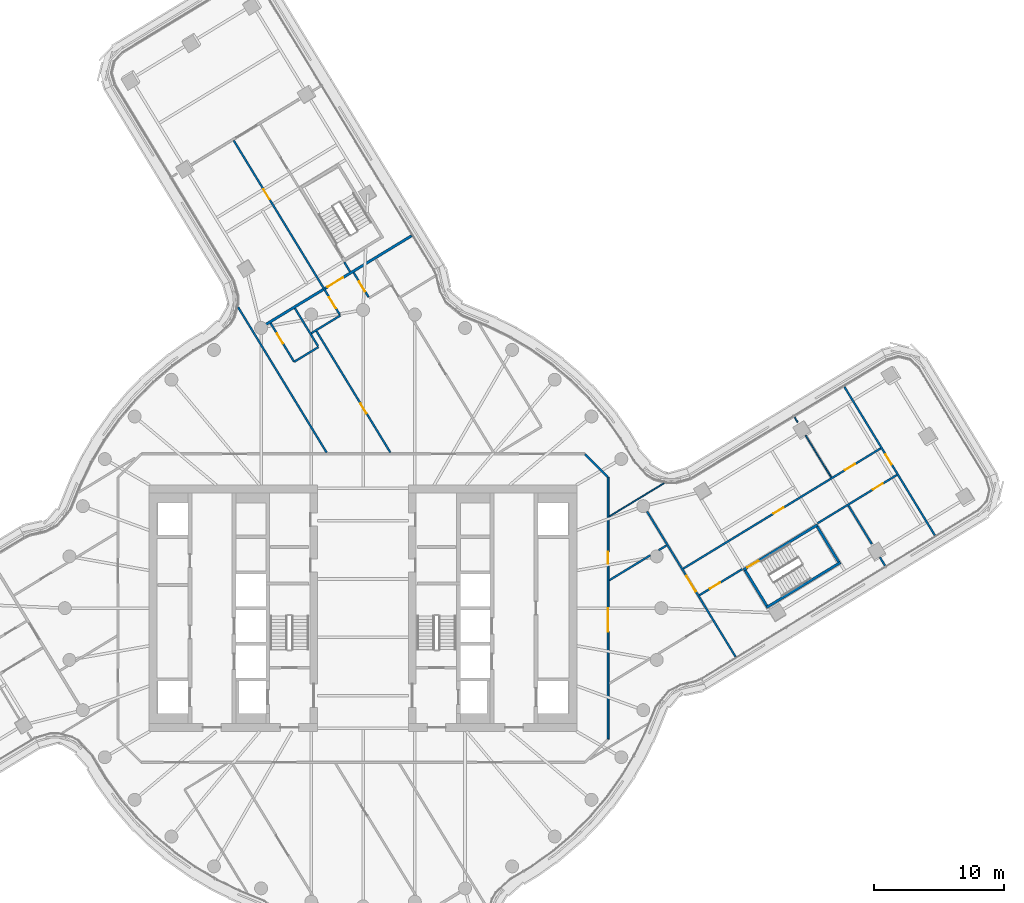
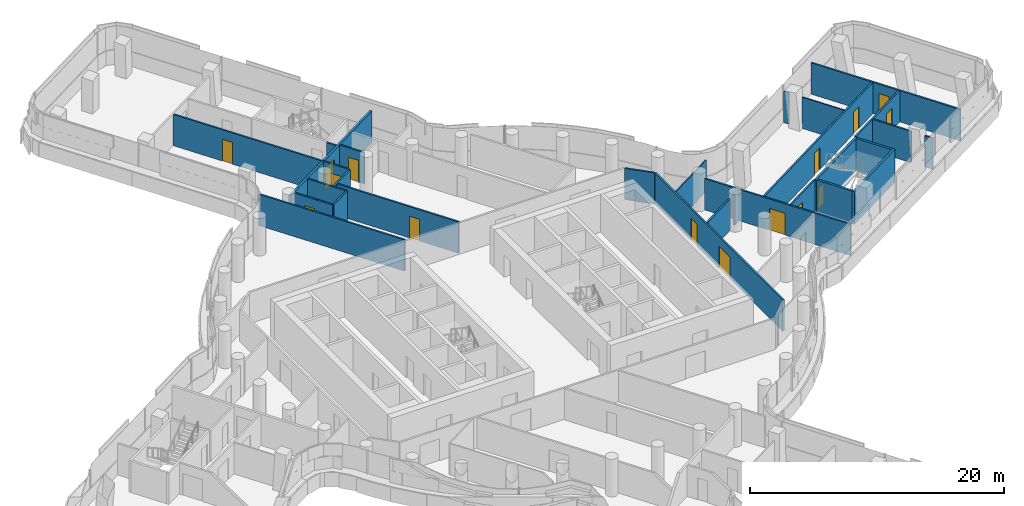
# One storey, part 24 of 35: 28 walls, 15 doors, 15 openings.
"""IFC4 building model written with IfcOpenShell, lengths in metres."""

import ifcopenshell
import ifcopenshell.guid

model = None  # the IFC model being written
_history = None  # IfcOwnerHistory: only IFC2X3 demands one
_inside = {}  # id of a spatial element -> (the spatial element, [elements in it])
_under = {}  # id of a project, library or spatial element -> (it, [spatial elements below it])
_declared = {}  # id of a project -> (the project, [libraries it declares])
_typed = {}  # id of a type object -> (the type object, [elements of that type])
_made_of = {}  # id of a material, layer set ... -> (it, [elements and type objects made of it])


def new_model(schema):
    """Start an empty IFC model of exactly this schema.

    Asked for "IFC4X3", IfcOpenShell would pick the latest addendum, in which some entities
    have other attributes; the version numbers below select the first issue.
    IFC2X3 requires an IfcOwnerHistory on every rooted entity: one is made here for all.
    """
    global model, _history
    if schema == "IFC4X3":
        model = ifcopenshell.file(schema_version=(4, 3, 0, 0))
    else:
        model = ifcopenshell.file(schema=schema)
    _inside.clear()
    _under.clear()
    _declared.clear()
    _typed.clear()
    _made_of.clear()
    _history = None
    if model.schema == "IFC2X3":
        org = make("IfcOrganization", Name="unknown")
        user = make(
            "IfcPersonAndOrganization",
            ThePerson=make("IfcPerson", FamilyName="unknown"),
            TheOrganization=org,
        )
        app = make(
            "IfcApplication",
            ApplicationDeveloper=org,
            Version="unknown",
            ApplicationFullName="unknown",
            ApplicationIdentifier="unknown",
        )
        _history = make(
            "IfcOwnerHistory",
            OwningUser=user,
            OwningApplication=app,
            ChangeAction="ADDED",
            CreationDate=0,
        )
    return model


def make(cls, **values):
    """One entity of the class cls with the attributes given. An attribute that is None is left unset."""
    return model.create_entity(
        cls, **{name: value for name, value in values.items() if value is not None}
    )


def rooted(cls, **values):
    """An entity with a GlobalId (a new one), such as an element, a storey or a relation."""
    return make(cls, GlobalId=ifcopenshell.guid.new(), OwnerHistory=_history, **values)


def si_unit(unit_type, name, prefix=None):
    """IfcSIUnit, for example si_unit("LENGTHUNIT", "METRE", prefix="MILLI")."""
    return make("IfcSIUnit", UnitType=unit_type, Prefix=prefix, Name=name)


def assignment(units):
    """IfcUnitAssignment: the units of a project."""
    return None if units is None else make("IfcUnitAssignment", Units=units)


def point(xyz):
    """IfcCartesianPoint."""
    return None if xyz is None else make("IfcCartesianPoint", Coordinates=xyz)


def direction(xyz):
    """IfcDirection."""
    return None if xyz is None else make("IfcDirection", DirectionRatios=xyz)


def frame(location, z_axis=None, x_axis=None):
    """IfcAxis2Placement3D, a coordinate frame: its origin and axes. An axis left out is left unset."""
    return make(
        "IfcAxis2Placement3D",
        Location=point(location),
        Axis=direction(z_axis),
        RefDirection=direction(x_axis),
    )


def frame_2d(location, x_axis=None):
    """IfcAxis2Placement2D, a coordinate frame in the plane: its origin and x axis."""
    return make(
        "IfcAxis2Placement2D", Location=point(location), RefDirection=direction(x_axis)
    )


def origin():
    """The frame at (0, 0, 0) with its axes left unset."""
    return frame((0.0, 0.0, 0.0))


def place(relative_to, where):
    """IfcLocalPlacement: puts the frame where relative to a parent placement (None: the world)."""
    return make(
        "IfcLocalPlacement", PlacementRelTo=relative_to, RelativePlacement=where
    )


def context(
    kind, dimensions, precision=None, world=None, true_north=None, identifier=None
):
    """IfcGeometricRepresentationContext, for example the 3D "Model" context."""
    return make(
        "IfcGeometricRepresentationContext",
        ContextIdentifier=identifier,
        ContextType=kind,
        CoordinateSpaceDimension=dimensions,
        Precision=precision,
        WorldCoordinateSystem=world,
        TrueNorth=true_north,
    )


def subcontext(parent, identifier, kind, view, scale=None):
    """IfcGeometricRepresentationSubContext, for example "Body" below "Model"."""
    return make(
        "IfcGeometricRepresentationSubContext",
        ContextIdentifier=identifier,
        ContextType=kind,
        ParentContext=parent,
        TargetScale=scale,
        TargetView=view,
    )


def project(units=None, contexts=None):
    """IfcProject with its units and contexts."""
    return rooted(
        "IfcProject",
        Name="project",
        RepresentationContexts=contexts,
        UnitsInContext=assignment(units),
    )


def spatial(cls, under=None, at=None, **own):
    """A site, building, storey or space (cls), placed at a placement, below another one or the project."""
    s = rooted(cls, ObjectPlacement=at, **own)
    if under is not None:
        _under.setdefault(under.id(), (under, []))[1].append(s)
    return s


def polyline(points):
    """IfcPolyline through the points."""
    return make("IfcPolyline", Points=[point(p) for p in points])


def profile(cls, at=None, kind="AREA", **sizes):
    """A parametric profile (cls). Its sizes go by their IFC names, for example OverallWidth=200.0."""
    return make(cls, ProfileType=kind, Position=at, **sizes)


def rectangle(**sizes):
    """IfcRectangleProfileDef."""
    return profile("IfcRectangleProfileDef", **sizes)


def outline(outer, holes=None, kind="AREA"):
    """IfcArbitraryClosedProfileDef: a profile drawn as a closed curve; with holes, ...WithVoids."""
    if holes is None:
        return make("IfcArbitraryClosedProfileDef", ProfileType=kind, OuterCurve=outer)
    return make(
        "IfcArbitraryProfileDefWithVoids",
        ProfileType=kind,
        OuterCurve=outer,
        InnerCurves=holes,
    )


def extrude(swept, where, along, depth):
    """IfcExtrudedAreaSolid: the profile swept, set in the frame where, extruded along a direction by depth."""
    return make(
        "IfcExtrudedAreaSolid",
        SweptArea=swept,
        Position=where,
        ExtrudedDirection=direction(along),
        Depth=depth,
    )


def shape(context_of_items, identifier, shape_type, items):
    """IfcShapeRepresentation: the items that make up one representation, for example the "Body"."""
    return make(
        "IfcShapeRepresentation",
        ContextOfItems=context_of_items,
        RepresentationIdentifier=identifier,
        RepresentationType=shape_type,
        Items=items,
    )


def material(Name=None, Category=None):
    """IfcMaterial."""
    return make("IfcMaterial", Name=Name, Category=Category)


def layer(
    of_material, thickness, ventilated=None, Name=None, Category=None, Priority=None
):
    """IfcMaterialLayer: one layer of a wall or slab, of a material (None: an air gap)."""
    return make(
        "IfcMaterialLayer",
        Material=of_material,
        LayerThickness=thickness,
        IsVentilated=ventilated,
        Name=Name,
        Category=Category,
        Priority=Priority,
    )


def layer_set(layers, Name=None):
    """IfcMaterialLayerSet."""
    return make("IfcMaterialLayerSet", MaterialLayers=layers, LayerSetName=Name)


def made_of(thing, what):
    """Note that an element or type object is made of a material, layer set ...; save() writes the relation."""
    if what is not None:
        _made_of.setdefault(what.id(), (what, []))[1].append(thing)
    return thing


def type_object(cls, material=None, **own):
    """A type object (cls), such as IfcWallType, which elements share."""
    return made_of(rooted(cls, **own), material)


def element(
    cls,
    number,
    at=None,
    inside=None,
    cuts=None,
    type_object=None,
    material=None,
    context=None,
    identifier="Body",
    shape_type=None,
    held_by="IfcProductDefinitionShape",
    body=None,
    shapes=None,
    **own,
):
    """One element of the class cls, such as IfcWall. Its Tag is "e" and its number.

    at: its placement. inside: the storey or other place that contains it. cuts: it is an
    opening in that element (IfcRelVoidsElement). A single representation is given by context,
    identifier, shape_type and body (its items); several are given by shapes. held_by: the class
    of the entity that holds the representations. save() writes the other relations.
    """
    e = rooted(cls, Tag="e%d" % number, ObjectPlacement=at, **own)
    if body is not None:
        shapes = [shape(context, identifier, shape_type, body)]
    if shapes is not None:
        e.Representation = make(held_by, Representations=shapes)
    if inside is not None:
        _inside.setdefault(inside.id(), (inside, []))[1].append(e)
    if cuts is not None:
        rooted(
            "IfcRelVoidsElement", RelatingBuildingElement=cuts, RelatedOpeningElement=e
        )
    if type_object is not None:
        _typed.setdefault(type_object.id(), (type_object, []))[1].append(e)
    return made_of(e, material)


def fill(opening, filler):
    """IfcRelFillsElement: the door or window that sits in an opening."""
    return rooted(
        "IfcRelFillsElement",
        RelatingOpeningElement=opening,
        RelatedBuildingElement=filler,
    )


def aggregate(whole, parts):
    """IfcRelAggregates: a whole, such as a stair, and the parts it consists of."""
    return rooted("IfcRelAggregates", RelatingObject=whole, RelatedObjects=parts)


def save(model, path):
    """Write the relations noted so far, then the file.

    IfcRelAggregates (storeys below a building ...), IfcRelContainedInSpatialStructure (elements
    in a storey), IfcRelDefinesByType, IfcRelAssociatesMaterial and IfcRelDeclares: one each for
    every whole, place, type object, material and project.
    """
    for whole, parts in _under.values():
        aggregate(whole, parts)
    for where, things in _inside.values():
        rooted(
            "IfcRelContainedInSpatialStructure",
            RelatedElements=things,
            RelatingStructure=where,
        )
    for kind, things in _typed.values():
        rooted("IfcRelDefinesByType", RelatedObjects=things, RelatingType=kind)
    for what, things in _made_of.values():
        rooted("IfcRelAssociatesMaterial", RelatedObjects=things, RelatingMaterial=what)
    for by, libraries in _declared.values():
        rooted("IfcRelDeclares", RelatingContext=by, RelatedDefinitions=libraries)
    model.write(path)


model = new_model("IFC4")

# Units and contexts
model_context = context("Model", 3, precision=1e-05, world=origin(), true_north=direction((0.0, 1.0)))
body_context = subcontext(model_context, "Body", "Model", "MODEL_VIEW")
ifc_project = project(units=[si_unit("LENGTHUNIT", "METRE"), si_unit("AREAUNIT", "SQUARE_METRE"), si_unit("VOLUMEUNIT", "CUBIC_METRE"), si_unit("PLANEANGLEUNIT", "RADIAN"), si_unit("MASSUNIT", "GRAM", prefix="KILO")], contexts=[model_context])

# Site, building, storey
site_placement = place(None, origin())
site = spatial("IfcSite", under=ifc_project, at=site_placement, CompositionType="ELEMENT")
building_placement = place(site_placement, origin())
building = spatial("IfcBuilding", under=site, at=building_placement, Name="Tamarind Cross Interchange Tower", CompositionType="ELEMENT")
storey_placement = place(building_placement, frame((0.0, 0.0, 148.0)))
storey = spatial("IfcBuildingStorey", under=building, at=storey_placement, Name="L36", CompositionType="ELEMENT", Elevation=148.0)

# Walls
ifc_material_1 = material(Name="Gypsum board partition on steel studs", Category="steel")
ifc_layer_1 = layer(ifc_material_1, 0.10009765625)
ifc_layer_set_1 = layer_set([ifc_layer_1], Name="Gypsum board partition on steel studs")
wall_type_1 = type_object("IfcWallType", Name="Partition 100 mm EI 90", PredefinedType="PARTITIONING", material=ifc_layer_set_1)
wall_1_placement = place(storey_placement, frame((33.281494140625, 14.735107421875, 0.0), z_axis=(0.0, 0.0, 1.0), x_axis=(0.520569684407, -0.853819186758, 0.0)))
element("IfcWall", 1, at=wall_1_placement, inside=storey, type_object=wall_type_1, Name="Partition L36-027", PredefinedType="PARTITIONING", context=body_context, shape_type="SweptSolid", body=[
    extrude(rectangle(XDim=0.4599609375, YDim=0.10009765625, at=frame_2d((0.22998046875, 0.0))), origin(), (0.0, 0.0, 1.0), 3.010009765625),
])
wall_2_placement = place(storey_placement, frame((34.141357421875, 13.323486328125, 0.0), z_axis=(0.0, 0.0, 1.0), x_axis=(0.52017825761, -0.854057714859, 0.0)))
element("IfcWall", 2, at=wall_2_placement, inside=storey, type_object=wall_type_1, Name="Partition L36-028", PredefinedType="PARTITIONING", context=body_context, shape_type="SweptSolid", body=[
    extrude(rectangle(XDim=3.783447265625, YDim=0.10009765625, at=frame_2d((1.8916015625, 0.0))), origin(), (0.0, 0.0, 1.0), 3.010009765625),
])
wall_3_placement = place(storey_placement, frame((18.981201171875, 7.060302734375, 0.0), z_axis=(0.0, 0.0, 1.0), x_axis=(0.854024301645, 0.520233113326, 0.0)))
element("IfcWall", 3, at=wall_3_placement, inside=storey, type_object=wall_type_1, Name="Partition L36-068", PredefinedType="PARTITIONING", context=body_context, shape_type="SweptSolid", body=[
    extrude(rectangle(XDim=4.952392578125, YDim=0.10009765625, at=frame_2d((2.47607421875, 0.0))), origin(), (0.0, 0.0, 1.0), 3.010009765625),
])

# Wall, openings, doors
ifc_layer_2 = layer(ifc_material_1, 0.14990234375)
ifc_layer_set_2 = layer_set([ifc_layer_2], Name="Gypsum board partition on steel studs")
wall_type_2 = type_object("IfcWallType", Name="Partition 150 mm EI 120", PredefinedType="PARTITIONING", material=ifc_layer_set_2)
wall_4_placement = place(storey_placement, frame((-9.982421875, 36.082763671875, 0.0), z_axis=(0.0, 0.0, 1.0), x_axis=(0.520141723066, -0.854079965768, 0.0)))
wall_4 = element("IfcWall", 4, at=wall_4_placement, inside=storey, type_object=wall_type_2, Name="Partition L36-009", PredefinedType="PARTITIONING", context=body_context, shape_type="SweptSolid", body=[
    extrude(rectangle(XDim=15.74560546875, YDim=0.14990234375, at=frame_2d((7.872802734375, 0.0))), origin(), (0.0, 0.0, 1.0), 3.010009765625),
])
opening_1_placement = place(wall_4_placement, frame((14.169921875, 0.0, 0.0)))
opening_1 = element("IfcOpeningElement", 5, at=opening_1_placement, cuts=wall_4, Name="Opening D04", PredefinedType="OPENING", context=body_context, shape_type="SweptSolid", body=[
    extrude(rectangle(XDim=1.0, YDim=2.10009765625, at=frame_2d((0.5, 1.050048828125))), frame((0.0, 0.0849609375, 0.0), z_axis=(0.0, -1.0, 0.0), x_axis=(1.0, 0.0, 0.0)), (0.0, 0.0, 1.0), 0.169921875),
])
opening_2_placement = place(wall_4_placement, frame((4.419921875, 0.0, 0.0)))
opening_2 = element("IfcOpeningElement", 6, at=opening_2_placement, cuts=wall_4, Name="Opening D05", PredefinedType="OPENING", context=body_context, shape_type="SweptSolid", body=[
    extrude(rectangle(XDim=0.89990234375, YDim=2.10009765625, at=frame_2d((0.449951171875, 1.050048828125))), frame((0.0, 0.0849609375, 0.0), z_axis=(0.0, -1.0, 0.0), x_axis=(1.0, 0.0, 0.0)), (0.0, 0.0, 1.0), 0.169921875),
])
ifc_material_2 = material(Name="Fire-resisting door set")
door_type_1 = type_object("IfcDoorType", Name="Interior door 1000 x 2100 FD60S", OperationType="SINGLE_SWING_LEFT", PredefinedType="DOOR", material=ifc_material_2)
door_1_placement = place(opening_1_placement, frame((1.0, 0.0, 0.0), z_axis=(0.0, 0.0, 1.0), x_axis=(-1.0, 0.0, 0.0)))
door_1 = element("IfcDoor", 7, at=door_1_placement, inside=storey, type_object=door_type_1, Name="Door D04", OperationType="SINGLE_SWING_RIGHT", OverallHeight=2.10009765625, OverallWidth=1.0, PredefinedType="DOOR", context=body_context, shape_type="SweptSolid", body=[
    extrude(rectangle(XDim=1.0, YDim=2.10009765625, at=frame_2d((0.5, 1.050048828125))), frame((0.0, 0.02490234375, 0.0), z_axis=(0.0, -1.0, 0.0), x_axis=(1.0, 0.0, 0.0)), (0.0, 0.0, 1.0), 0.050048828125),
])
fill(opening_1, door_1)
door_type_2 = type_object("IfcDoorType", Name="Interior door 900 x 2100 FD60S", OperationType="SINGLE_SWING_LEFT", PredefinedType="DOOR", material=ifc_material_2)
door_2_placement = place(opening_2_placement, frame((0.89990234375, 0.0, 0.0), z_axis=(0.0, 0.0, 1.0), x_axis=(-1.0, 0.0, 0.0)))
door_2 = element("IfcDoor", 8, at=door_2_placement, inside=storey, type_object=door_type_2, Name="Door D05", OperationType="SINGLE_SWING_LEFT", OverallHeight=2.10009765625, OverallWidth=0.89990234375, PredefinedType="DOOR", context=body_context, shape_type="SweptSolid", body=[
    extrude(rectangle(XDim=0.89990234375, YDim=2.10009765625, at=frame_2d((0.449951171875, 1.050048828125))), frame((0.0, 0.02490234375, 0.0), z_axis=(0.0, -1.0, 0.0), x_axis=(1.0, 0.0, 0.0)), (0.0, 0.0, 1.0), 0.050048828125),
])
fill(opening_2, door_2)

# Walls
wall_5_placement = place(storey_placement, frame((-9.636474609375, 23.211181640625, 0.0), z_axis=(0.0, 0.0, 1.0), x_axis=(0.520188794996, -0.854051296797, 0.0)))
element("IfcWall", 9, at=wall_5_placement, inside=storey, type_object=wall_type_2, Name="Partition L36-010", PredefinedType="PARTITIONING", context=body_context, shape_type="SweptSolid", body=[
    extrude(rectangle(XDim=13.129150390625, YDim=0.14990234375, at=frame_2d((6.564453125, 0.0))), origin(), (0.0, 0.0, 1.0), 3.010009765625),
])
wall_6_placement = place(storey_placement, frame((-1.451171875, 26.689453125, 0.0), z_axis=(0.0, 0.0, 1.0), x_axis=(0.520289272866, -0.853990089252, 0.0)))
element("IfcWall", 10, at=wall_6_placement, inside=storey, type_object=wall_type_2, Name="Partition L36-012", PredefinedType="PARTITIONING", context=body_context, shape_type="SweptSolid", body=[
    extrude(rectangle(XDim=0.859619140625, YDim=0.14990234375, at=frame_2d((0.4296875, 0.0))), origin(), (0.0, 0.0, 1.0), 3.010009765625),
])

# Wall, opening, door
wall_7_placement = place(storey_placement, frame((-7.134033203125, 21.986572265625, 0.0), z_axis=(0.0, 0.0, 1.0), x_axis=(0.520129484143, -0.854087419253, 0.0)))
wall_7 = element("IfcWall", 11, at=wall_7_placement, inside=storey, type_object=wall_type_2, Name="Partition L36-013", PredefinedType="PARTITIONING", context=body_context, shape_type="SweptSolid", body=[
    extrude(rectangle(XDim=3.47900390625, YDim=0.14990234375, at=frame_2d((1.739501953125, 0.0))), origin(), (0.0, 0.0, 1.0), 3.010009765625),
])
opening_3_placement = place(wall_7_placement, frame((0.949951171875, 0.0, 0.0)))
opening_3 = element("IfcOpeningElement", 12, at=opening_3_placement, cuts=wall_7, Name="Opening D07", PredefinedType="OPENING", context=body_context, shape_type="SweptSolid", body=[
    extrude(rectangle(XDim=0.89990234375, YDim=2.10009765625, at=frame_2d((0.449951171875, 1.050048828125))), frame((0.0, 0.0849609375, 0.0), z_axis=(0.0, -1.0, 0.0), x_axis=(1.0, 0.0, 0.0)), (0.0, 0.0, 1.0), 0.169921875),
])
door_3_placement = place(opening_3_placement, origin())
door_3 = element("IfcDoor", 13, at=door_3_placement, inside=storey, type_object=door_type_2, Name="Door D07", OperationType="SINGLE_SWING_RIGHT", OverallHeight=2.10009765625, OverallWidth=0.89990234375, PredefinedType="DOOR", context=body_context, shape_type="SweptSolid", body=[
    extrude(rectangle(XDim=0.89990234375, YDim=2.10009765625, at=frame_2d((0.449951171875, 1.050048828125))), frame((0.0, 0.02490234375, 0.0), z_axis=(0.0, -1.0, 0.0), x_axis=(1.0, 0.0, 0.0)), (0.0, 0.0, 1.0), 0.050048828125),
])
fill(opening_3, door_3)

# Wall
wall_8_placement = place(storey_placement, frame((-5.25244140625, 23.127197265625, 0.0), z_axis=(0.0, 0.0, 1.0), x_axis=(0.519996770542, -0.854168226186, 0.0)))
element("IfcWall", 14, at=wall_8_placement, inside=storey, type_object=wall_type_2, Name="Partition L36-014", PredefinedType="PARTITIONING", context=body_context, shape_type="SweptSolid", body=[
    extrude(rectangle(XDim=3.419921875, YDim=0.14990234375, at=frame_2d((1.7099609375, 0.0))), origin(), (0.0, 0.0, 1.0), 3.010009765625),
])

# Wall, opening, door
wall_9_placement = place(storey_placement, frame((-3.59033203125, 21.358642578125, 0.0), z_axis=(0.0, 0.0, 1.0), x_axis=(0.520200619289, -0.8540440947, 0.0)))
wall_9 = element("IfcWall", 15, at=wall_9_placement, inside=storey, type_object=wall_type_2, Name="Partition L36-015", PredefinedType="PARTITIONING", context=body_context, shape_type="SweptSolid", body=[
    extrude(rectangle(XDim=10.9599609375, YDim=0.14990234375, at=frame_2d((5.47998046875, 0.0))), origin(), (0.0, 0.0, 1.0), 3.010009765625),
])
opening_4_placement = place(wall_9_placement, frame((6.52001953125, 0.0, 0.0)))
opening_4 = element("IfcOpeningElement", 16, at=opening_4_placement, cuts=wall_9, Name="Opening D08", PredefinedType="OPENING", context=body_context, shape_type="SweptSolid", body=[
    extrude(rectangle(XDim=0.89990234375, YDim=2.10009765625, at=frame_2d((0.449951171875, 1.050048828125))), frame((0.0, 0.0849609375, 0.0), z_axis=(0.0, -1.0, 0.0), x_axis=(1.0, 0.0, 0.0)), (0.0, 0.0, 1.0), 0.169921875),
])
door_4_placement = place(opening_4_placement, frame((0.89990234375, 0.0, 0.0), z_axis=(0.0, 0.0, 1.0), x_axis=(-1.0, 0.0, 0.0)))
door_4 = element("IfcDoor", 17, at=door_4_placement, inside=storey, type_object=door_type_2, Name="Door D08", OperationType="SINGLE_SWING_RIGHT", OverallHeight=2.10009765625, OverallWidth=0.89990234375, PredefinedType="DOOR", context=body_context, shape_type="SweptSolid", body=[
    extrude(rectangle(XDim=0.89990234375, YDim=2.10009765625, at=frame_2d((0.449951171875, 1.050048828125))), frame((0.0, 0.02490234375, 0.0), z_axis=(0.0, -1.0, 0.0), x_axis=(1.0, 0.0, 0.0)), (0.0, 0.0, 1.0), 0.050048828125),
])
fill(opening_4, door_4)

wall_10_placement = place(storey_placement, frame((-0.726318359375, 25.88427734375, 0.0), z_axis=(0.0, 0.0, 1.0), x_axis=(0.519967880157, -0.854185813278, 0.0)))
wall_10 = element("IfcWall", 18, at=wall_10_placement, inside=storey, type_object=wall_type_2, Name="Partition L36-018", PredefinedType="PARTITIONING", context=body_context, shape_type="SweptSolid", body=[
    extrude(rectangle(XDim=2.219970703125, YDim=0.14990234375, at=frame_2d((1.10986328125, 0.0))), origin(), (0.0, 0.0, 1.0), 3.010009765625),
])
opening_5_placement = place(wall_10_placement, frame((0.794921875, 0.0, 0.0)))
opening_5 = element("IfcOpeningElement", 19, at=opening_5_placement, cuts=wall_10, Name="Opening D10", PredefinedType="OPENING", context=body_context, shape_type="SweptSolid", body=[
    extrude(rectangle(XDim=0.89990234375, YDim=2.10009765625, at=frame_2d((0.449951171875, 1.050048828125))), frame((0.0, 0.0849609375, 0.0), z_axis=(0.0, -1.0, 0.0), x_axis=(1.0, 0.0, 0.0)), (0.0, 0.0, 1.0), 0.169921875),
])
door_5_placement = place(opening_5_placement, origin())
door_5 = element("IfcDoor", 20, at=door_5_placement, inside=storey, type_object=door_type_2, Name="Door D10", OperationType="SINGLE_SWING_LEFT", OverallHeight=2.10009765625, OverallWidth=0.89990234375, PredefinedType="DOOR", context=body_context, shape_type="SweptSolid", body=[
    extrude(rectangle(XDim=0.89990234375, YDim=2.10009765625, at=frame_2d((0.449951171875, 1.050048828125))), frame((0.0, 0.02490234375, 0.0), z_axis=(0.0, -1.0, 0.0), x_axis=(1.0, 0.0, 0.0)), (0.0, 0.0, 1.0), 0.050048828125),
])
fill(opening_5, door_5)

wall_11_placement = place(storey_placement, frame((21.90478515625, 7.461669921875, 0.0), z_axis=(0.0, 0.0, 1.0), x_axis=(0.520124017565, -0.854090748312, 0.0)))
wall_11 = element("IfcWall", 21, at=wall_11_placement, inside=storey, type_object=wall_type_2, Name="Partition L36-026", PredefinedType="PARTITIONING", context=body_context, shape_type="SweptSolid", body=[
    extrude(rectangle(XDim=13.121337890625, YDim=0.14990234375, at=frame_2d((6.560546875, 0.0))), origin(), (0.0, 0.0, 1.0), 3.010009765625),
])
opening_6_placement = place(wall_11_placement, frame((5.82177734375, 0.0, 0.0)))
opening_6 = element("IfcOpeningElement", 22, at=opening_6_placement, cuts=wall_11, Name="Opening D19", PredefinedType="OPENING", context=body_context, shape_type="SweptSolid", body=[
    extrude(rectangle(XDim=1.39990234375, YDim=2.10009765625, at=frame_2d((0.699951171875, 1.050048828125))), frame((0.0, 0.0849609375, 0.0), z_axis=(0.0, -1.0, 0.0), x_axis=(1.0, 0.0, 0.0)), (0.0, 0.0, 1.0), 0.169921875),
])
door_type_3 = type_object("IfcDoorType", Name="Interior door 1400 x 2100 FD60S", OperationType="DOUBLE_DOOR_SINGLE_SWING", PredefinedType="DOOR", material=ifc_material_2)
door_6_placement = place(opening_6_placement, frame((1.39990234375, 0.0, 0.0), z_axis=(0.0, 0.0, 1.0), x_axis=(-1.0, 0.0, 0.0)))
door_6 = element("IfcDoor", 23, at=door_6_placement, inside=storey, type_object=door_type_3, Name="Door D19", OperationType="DOUBLE_DOOR_SINGLE_SWING", OverallHeight=2.10009765625, OverallWidth=1.39990234375, PredefinedType="DOOR", context=body_context, shape_type="SweptSolid", body=[
    extrude(rectangle(XDim=1.39990234375, YDim=2.10009765625, at=frame_2d((0.699951171875, 1.050048828125))), frame((0.0, 0.02490234375, 0.0), z_axis=(0.0, -1.0, 0.0), x_axis=(1.0, 0.0, 0.0)), (0.0, 0.0, 1.0), 0.050048828125),
])
fill(opening_6, door_6)

# Walls
wall_12_placement = place(storey_placement, frame((37.441162109375, 7.906005859375, 0.0), z_axis=(0.0, 0.0, 1.0), x_axis=(0.520127867852, -0.854088403553, 0.0)))
element("IfcWall", 24, at=wall_12_placement, inside=storey, type_object=wall_type_2, Name="Partition L36-029", PredefinedType="PARTITIONING", context=body_context, shape_type="SweptSolid", body=[
    extrude(rectangle(XDim=3.46728515625, YDim=0.14990234375, at=frame_2d((1.733642578125, 0.0))), origin(), (0.0, 0.0, 1.0), 3.010009765625),
])
wall_13_placement = place(storey_placement, frame((39.865966796875, 3.924560546875, 0.0), z_axis=(0.0, 0.0, 1.0), x_axis=(0.520315074372, -0.853974369276, 0.0)))
element("IfcWall", 25, at=wall_13_placement, inside=storey, type_object=wall_type_2, Name="Partition L36-030", PredefinedType="PARTITIONING", context=body_context, shape_type="SweptSolid", body=[
    extrude(rectangle(XDim=0.75732421875, YDim=0.14990234375, at=frame_2d((0.378662109375, 0.0))), origin(), (0.0, 0.0, 1.0), 3.010009765625),
])

# Wall, opening, door
wall_14_placement = place(storey_placement, frame((37.129638671875, 17.06787109375, 0.0), z_axis=(0.0, 0.0, 1.0), x_axis=(0.520172825695, -0.854061023234, 0.0)))
wall_14 = element("IfcWall", 26, at=wall_14_placement, inside=storey, type_object=wall_type_2, Name="Partition L36-031", PredefinedType="PARTITIONING", context=body_context, shape_type="SweptSolid", body=[
    extrude(rectangle(XDim=13.406005859375, YDim=0.14990234375, at=frame_2d((6.703125, 0.0))), origin(), (0.0, 0.0, 1.0), 3.010009765625),
])
opening_7_placement = place(wall_14_placement, frame((6.1064453125, 0.0, 0.0)))
opening_7 = element("IfcOpeningElement", 27, at=opening_7_placement, cuts=wall_14, Name="Opening D20", PredefinedType="OPENING", context=body_context, shape_type="SweptSolid", body=[
    extrude(rectangle(XDim=0.89990234375, YDim=2.10009765625, at=frame_2d((0.449951171875, 1.050048828125))), frame((0.0, 0.0849609375, 0.0), z_axis=(0.0, -1.0, 0.0), x_axis=(1.0, 0.0, 0.0)), (0.0, 0.0, 1.0), 0.169921875),
])
door_7_placement = place(opening_7_placement, origin())
door_7 = element("IfcDoor", 28, at=door_7_placement, inside=storey, type_object=door_type_2, Name="Door D20", OperationType="SINGLE_SWING_RIGHT", OverallHeight=2.10009765625, OverallWidth=0.89990234375, PredefinedType="DOOR", context=body_context, shape_type="SweptSolid", body=[
    extrude(rectangle(XDim=0.89990234375, YDim=2.10009765625, at=frame_2d((0.449951171875, 1.050048828125))), frame((0.0, 0.02490234375, 0.0), z_axis=(0.0, -1.0, 0.0), x_axis=(1.0, 0.0, 0.0)), (0.0, 0.0, 1.0), 0.050048828125),
])
fill(opening_7, door_7)

# Walls
wall_15_placement = place(storey_placement, frame((17.12841796875, 11.87158203125, 0.0), z_axis=(0.0, 0.0, 1.0), x_axis=(0.707106781187, -0.707106781187, 0.0)))
element("IfcWall", 29, at=wall_15_placement, inside=storey, type_object=wall_type_2, Name="Partition L36-033", PredefinedType="PARTITIONING", context=body_context, shape_type="SweptSolid", body=[
    extrude(rectangle(XDim=2.465087890625, YDim=0.14990234375, at=frame_2d((1.232421875, 0.0))), origin(), (0.0, 0.0, 1.0), 3.010009765625),
])
wall_16_placement = place(storey_placement, frame((-5.31396484375, 18.998046875, 0.0), z_axis=(0.0, 0.0, 1.0), x_axis=(0.854125681103, 0.520066650422, 0.0)))
element("IfcWall", 30, at=wall_16_placement, inside=storey, type_object=wall_type_2, Name="Partition L36-049", PredefinedType="PARTITIONING", context=body_context, shape_type="SweptSolid", body=[
    extrude(rectangle(XDim=2.19970703125, YDim=0.14990234375, at=frame_2d((1.099853515625, 0.0))), origin(), (0.0, 0.0, 1.0), 3.010009765625),
])
wall_17_placement = place(storey_placement, frame((-3.99072265625, 21.20849609375, 0.0), z_axis=(0.0, 0.0, 1.0), x_axis=(0.854103164221, 0.520103628971, 0.0)))
element("IfcWall", 31, at=wall_17_placement, inside=storey, type_object=wall_type_2, Name="Partition L36-051", PredefinedType="PARTITIONING", context=body_context, shape_type="SweptSolid", body=[
    extrude(rectangle(XDim=2.619873046875, YDim=0.14990234375, at=frame_2d((1.31005859375, 0.0))), origin(), (0.0, 0.0, 1.0), 3.010009765625),
])
wall_18_placement = place(storey_placement, frame((18.998291015625, 2.15283203125, 0.0), z_axis=(0.0, 0.0, 1.0), x_axis=(0.854120951194, 0.520074418454, 0.0)))
element("IfcWall", 32, at=wall_18_placement, inside=storey, type_object=wall_type_2, Name="Partition L36-066", PredefinedType="PARTITIONING", context=body_context, shape_type="SweptSolid", body=[
    extrude(rectangle(XDim=3.706298828125, YDim=0.14990234375, at=frame_2d((1.85302734375, 0.0))), origin(), (0.0, 0.0, 1.0), 3.010009765625),
])
wall_19_placement = place(storey_placement, frame((22.795654296875, 4.465087890625, 0.0), z_axis=(0.0, 0.0, 1.0), x_axis=(0.854113155066, 0.520087221862, 0.0)))
element("IfcWall", 33, at=wall_19_placement, inside=storey, type_object=wall_type_2, Name="Partition L36-067", PredefinedType="PARTITIONING", context=body_context, shape_type="SweptSolid", body=[
    extrude(rectangle(XDim=0.7177734375, YDim=0.14990234375, at=frame_2d((0.35888671875, 0.0))), origin(), (0.0, 0.0, 1.0), 3.010009765625),
])

# Wall, openings, doors
wall_20_placement = place(storey_placement, frame((24.689208984375, 3.043701171875, 0.0), z_axis=(0.0, 0.0, 1.0), x_axis=(0.854065339792, 0.520165738363, 0.0)))
wall_20 = element("IfcWall", 34, at=wall_20_placement, inside=storey, type_object=wall_type_2, Name="Partition L36-069", PredefinedType="PARTITIONING", context=body_context, shape_type="SweptSolid", body=[
    extrude(rectangle(XDim=17.840087890625, YDim=0.14990234375, at=frame_2d((8.919921875, 0.0))), origin(), (0.0, 0.0, 1.0), 3.010009765625),
])
opening_8_placement = place(wall_20_placement, frame((8.169921875, 0.0, 0.0)))
opening_8 = element("IfcOpeningElement", 35, at=opening_8_placement, cuts=wall_20, Name="Opening D36", PredefinedType="OPENING", context=body_context, shape_type="SweptSolid", body=[
    extrude(rectangle(XDim=0.89990234375, YDim=2.10009765625, at=frame_2d((0.449951171875, 1.050048828125))), frame((0.0, 0.0849609375, 0.0), z_axis=(0.0, -1.0, 0.0), x_axis=(1.0, 0.0, 0.0)), (0.0, 0.0, 1.0), 0.169921875),
])
opening_9_placement = place(wall_20_placement, frame((14.6201171875, 0.0, 0.0)))
opening_9 = element("IfcOpeningElement", 36, at=opening_9_placement, cuts=wall_20, Name="Opening D37", PredefinedType="OPENING", context=body_context, shape_type="SweptSolid", body=[
    extrude(rectangle(XDim=0.89990234375, YDim=2.10009765625, at=frame_2d((0.449951171875, 1.050048828125))), frame((0.0, 0.0849609375, 0.0), z_axis=(0.0, -1.0, 0.0), x_axis=(1.0, 0.0, 0.0)), (0.0, 0.0, 1.0), 0.169921875),
])
door_8_placement = place(opening_8_placement, origin())
door_8 = element("IfcDoor", 37, at=door_8_placement, inside=storey, type_object=door_type_2, Name="Door D36", OperationType="SINGLE_SWING_RIGHT", OverallHeight=2.10009765625, OverallWidth=0.89990234375, PredefinedType="DOOR", context=body_context, shape_type="SweptSolid", body=[
    extrude(rectangle(XDim=0.89990234375, YDim=2.10009765625, at=frame_2d((0.449951171875, 1.050048828125))), frame((0.0, 0.02490234375, 0.0), z_axis=(0.0, -1.0, 0.0), x_axis=(1.0, 0.0, 0.0)), (0.0, 0.0, 1.0), 0.050048828125),
])
fill(opening_8, door_8)
door_9_placement = place(opening_9_placement, origin())
door_9 = element("IfcDoor", 38, at=door_9_placement, inside=storey, type_object=door_type_2, Name="Door D37", OperationType="SINGLE_SWING_LEFT", OverallHeight=2.10009765625, OverallWidth=0.89990234375, PredefinedType="DOOR", context=body_context, shape_type="SweptSolid", body=[
    extrude(rectangle(XDim=0.89990234375, YDim=2.10009765625, at=frame_2d((0.449951171875, 1.050048828125))), frame((0.0, 0.02490234375, 0.0), z_axis=(0.0, -1.0, 0.0), x_axis=(1.0, 0.0, 0.0)), (0.0, 0.0, 1.0), 0.050048828125),
])
fill(opening_9, door_9)

# Wall, opening, door
wall_21_placement = place(storey_placement, frame((25.938232421875, 0.99365234375, 0.0), z_axis=(0.0, 0.0, 1.0), x_axis=(0.854092814708, 0.520120624341, 0.0)))
wall_21 = element("IfcWall", 39, at=wall_21_placement, inside=storey, type_object=wall_type_2, Name="Partition L36-070", PredefinedType="PARTITIONING", context=body_context, shape_type="SweptSolid", body=[
    extrude(rectangle(XDim=3.879638671875, YDim=0.14990234375, at=frame_2d((1.93994140625, 0.0))), origin(), (0.0, 0.0, 1.0), 3.010009765625),
])
opening_10_placement = place(wall_21_placement, frame((0.969970703125, 0.0, 0.0)))
opening_10 = element("IfcOpeningElement", 40, at=opening_10_placement, cuts=wall_21, Name="Opening D38", PredefinedType="OPENING", context=body_context, shape_type="SweptSolid", body=[
    extrude(rectangle(XDim=0.89990234375, YDim=2.10009765625, at=frame_2d((0.449951171875, 1.050048828125))), frame((0.0, 0.0849609375, 0.0), z_axis=(0.0, -1.0, 0.0), x_axis=(1.0, 0.0, 0.0)), (0.0, 0.0, 1.0), 0.169921875),
])
door_10_placement = place(opening_10_placement, frame((0.89990234375, 0.0, 0.0), z_axis=(0.0, 0.0, 1.0), x_axis=(-1.0, 0.0, 0.0)))
door_10 = element("IfcDoor", 41, at=door_10_placement, inside=storey, type_object=door_type_2, Name="Door D38", OperationType="SINGLE_SWING_LEFT", OverallHeight=2.10009765625, OverallWidth=0.89990234375, PredefinedType="DOOR", context=body_context, shape_type="SweptSolid", body=[
    extrude(rectangle(XDim=0.89990234375, YDim=2.10009765625, at=frame_2d((0.449951171875, 1.050048828125))), frame((0.0, 0.02490234375, 0.0), z_axis=(0.0, -1.0, 0.0), x_axis=(1.0, 0.0, 0.0)), (0.0, 0.0, 1.0), 0.050048828125),
])
fill(opening_10, door_10)

wall_22_placement = place(storey_placement, frame((35.04248046875, 6.537841796875, 0.0), z_axis=(0.0, 0.0, 1.0), x_axis=(0.854099398524, 0.520109812867, 0.0)))
wall_22 = element("IfcWall", 42, at=wall_22_placement, inside=storey, type_object=wall_type_2, Name="Partition L36-071", PredefinedType="PARTITIONING", context=body_context, shape_type="SweptSolid", body=[
    extrude(rectangle(XDim=7.180419921875, YDim=0.14990234375, at=frame_2d((3.59033203125, 0.0))), origin(), (0.0, 0.0, 1.0), 3.010009765625),
])
opening_11_placement = place(wall_22_placement, frame((5.009521484375, 0.0, 0.0)))
opening_11 = element("IfcOpeningElement", 43, at=opening_11_placement, cuts=wall_22, Name="Opening D39", PredefinedType="OPENING", context=body_context, shape_type="SweptSolid", body=[
    extrude(rectangle(XDim=0.89990234375, YDim=2.10009765625, at=frame_2d((0.449951171875, 1.050048828125))), frame((0.0, 0.0849609375, 0.0), z_axis=(0.0, -1.0, 0.0), x_axis=(1.0, 0.0, 0.0)), (0.0, 0.0, 1.0), 0.169921875),
])
door_11_placement = place(opening_11_placement, frame((0.89990234375, 0.0, 0.0), z_axis=(0.0, 0.0, 1.0), x_axis=(-1.0, 0.0, 0.0)))
door_11 = element("IfcDoor", 44, at=door_11_placement, inside=storey, type_object=door_type_2, Name="Door D39", OperationType="SINGLE_SWING_RIGHT", OverallHeight=2.10009765625, OverallWidth=0.89990234375, PredefinedType="DOOR", context=body_context, shape_type="SweptSolid", body=[
    extrude(rectangle(XDim=0.89990234375, YDim=2.10009765625, at=frame_2d((0.449951171875, 1.050048828125))), frame((0.0, 0.02490234375, 0.0), z_axis=(0.0, -1.0, 0.0), x_axis=(1.0, 0.0, 0.0)), (0.0, 0.0, 1.0), 0.050048828125),
])
fill(opening_11, door_11)

# Wall, openings, doors
wall_23_placement = place(storey_placement, frame((18.89990234375, -10.10009765625, 0.0), z_axis=(0.0, 0.0, 1.0), x_axis=(0.0, 1.0, 0.0)))
wall_23 = element("IfcWall", 45, at=wall_23_placement, inside=storey, type_object=wall_type_2, Name="Partition L36-075", PredefinedType="PARTITIONING", context=body_context, shape_type="SweptSolid", body=[
    extrude(rectangle(XDim=20.2001953125, YDim=0.14990234375, at=frame_2d((10.10009765625, 0.0))), origin(), (0.0, 0.0, 1.0), 3.010009765625),
])
opening_12_placement = place(wall_23_placement, frame((8.281005859375, 0.0, 0.0)))
opening_12 = element("IfcOpeningElement", 46, at=opening_12_placement, cuts=wall_23, Name="Opening D42", PredefinedType="OPENING", context=body_context, shape_type="SweptSolid", body=[
    extrude(rectangle(XDim=1.800048828125, YDim=2.10009765625, at=frame_2d((0.89990234375, 1.050048828125))), frame((0.0, 0.0849609375, 0.0), z_axis=(0.0, -1.0, 0.0), x_axis=(1.0, 0.0, 0.0)), (0.0, 0.0, 1.0), 0.169921875),
])
opening_13_placement = place(wall_23_placement, frame((13.54296875, 0.0, 0.0)))
opening_13 = element("IfcOpeningElement", 47, at=opening_13_placement, cuts=wall_23, Name="Opening D43", PredefinedType="OPENING", context=body_context, shape_type="SweptSolid", body=[
    extrude(rectangle(XDim=0.89990234375, YDim=2.10009765625, at=frame_2d((0.449951171875, 1.050048828125))), frame((0.0, 0.0849609375, 0.0), z_axis=(0.0, -1.0, 0.0), x_axis=(1.0, 0.0, 0.0)), (0.0, 0.0, 1.0), 0.169921875),
])
door_type_4 = type_object("IfcDoorType", Name="Interior door 1800 x 2100 FD60S", OperationType="DOUBLE_DOOR_SINGLE_SWING", PredefinedType="DOOR", material=ifc_material_2)
door_12_placement = place(opening_12_placement, origin())
door_12 = element("IfcDoor", 48, at=door_12_placement, inside=storey, type_object=door_type_4, Name="Door D42", OperationType="DOUBLE_DOOR_SINGLE_SWING", OverallHeight=2.10009765625, OverallWidth=1.800048828125, PredefinedType="DOOR", context=body_context, shape_type="SweptSolid", body=[
    extrude(rectangle(XDim=1.800048828125, YDim=2.10009765625, at=frame_2d((0.89990234375, 1.050048828125))), frame((0.0, 0.02490234375, 0.0), z_axis=(0.0, -1.0, 0.0), x_axis=(1.0, 0.0, 0.0)), (0.0, 0.0, 1.0), 0.050048828125),
])
fill(opening_12, door_12)
door_13_placement = place(opening_13_placement, frame((0.89990234375, 0.0, 0.0), z_axis=(0.0, 0.0, 1.0), x_axis=(-1.0, 0.0, 0.0)))
door_13 = element("IfcDoor", 49, at=door_13_placement, inside=storey, type_object=door_type_2, Name="Door D43", OperationType="SINGLE_SWING_RIGHT", OverallHeight=2.10009765625, OverallWidth=0.89990234375, PredefinedType="DOOR", context=body_context, shape_type="SweptSolid", body=[
    extrude(rectangle(XDim=0.89990234375, YDim=2.10009765625, at=frame_2d((0.449951171875, 1.050048828125))), frame((0.0, 0.02490234375, 0.0), z_axis=(0.0, -1.0, 0.0), x_axis=(1.0, 0.0, 0.0)), (0.0, 0.0, 1.0), 0.050048828125),
])
fill(opening_13, door_13)

# Wall, opening, door
ifc_layer_3 = layer(ifc_material_1, 0.199951171875)
ifc_layer_set_3 = layer_set([ifc_layer_3], Name="Gypsum board partition on steel studs")
wall_type_3 = type_object("IfcWallType", Name="Partition 200 mm EI 180", PredefinedType="PARTITIONING", material=ifc_layer_set_3)
wall_24_placement = place(storey_placement, frame((-7.6748046875, 21.7744140625, 0.0), z_axis=(0.0, 0.0, 1.0), x_axis=(0.85429303398, 0.519791700678, 0.0)))
wall_24 = element("IfcWall", 50, at=wall_24_placement, inside=storey, type_object=wall_type_3, Name="Partition L36-048", PredefinedType="PARTITIONING", context=body_context, shape_type="SweptSolid", body=[
    extrude(rectangle(XDim=13.37109375, YDim=0.199951171875, at=frame_2d((6.685546875, 0.0))), origin(), (0.0, 0.0, 1.0), 3.010009765625),
])
opening_14_placement = place(wall_24_placement, frame((5.771484375, 0.0, 0.0)))
opening_14 = element("IfcOpeningElement", 51, at=opening_14_placement, cuts=wall_24, Name="Opening D32", PredefinedType="OPENING", context=body_context, shape_type="SweptSolid", body=[
    extrude(rectangle(XDim=1.39990234375, YDim=2.10009765625, at=frame_2d((0.699951171875, 1.050048828125))), frame((0.0, 0.10986328125, 0.0), z_axis=(0.0, -1.0, 0.0), x_axis=(1.0, 0.0, 0.0)), (0.0, 0.0, 1.0), 0.219970703125),
])
door_type_5 = type_object("IfcDoorType", Name="Interior door 1400 x 2100 FD120S", OperationType="DOUBLE_DOOR_SINGLE_SWING", PredefinedType="DOOR", material=ifc_material_2)
door_14_placement = place(opening_14_placement, frame((1.39990234375, 0.0, 0.0), z_axis=(0.0, 0.0, 1.0), x_axis=(-1.0, 0.0, 0.0)))
door_14 = element("IfcDoor", 52, at=door_14_placement, inside=storey, type_object=door_type_5, Name="Door D32", OperationType="DOUBLE_DOOR_SINGLE_SWING", OverallHeight=2.10009765625, OverallWidth=1.39990234375, PredefinedType="DOOR", context=body_context, shape_type="SweptSolid", body=[
    extrude(rectangle(XDim=1.39990234375, YDim=2.10009765625, at=frame_2d((0.699951171875, 1.050048828125))), frame((0.0, 0.02490234375, 0.0), z_axis=(0.0, -1.0, 0.0), x_axis=(1.0, 0.0, 0.0)), (0.0, 0.0, 1.0), 0.050048828125),
])
fill(opening_14, door_14)

ifc_material_3 = material(Name="Concrete C40", Category="concrete")
ifc_layer_4 = layer(ifc_material_3, 0.199951171875)
ifc_layer_set_4 = layer_set([ifc_layer_4], Name="Concrete C40")
wall_type_4 = type_object("IfcWallType", Name="Stair shaft wall 200 mm Concrete C40", PredefinedType="SHEAR", material=ifc_layer_set_4)
wall_25_placement = place(storey_placement, frame((29.337890625, 2.947021484375, -0.139892578125), z_axis=(0.0, 0.0, 1.0), x_axis=(0.854046532708, 0.520196616646, 0.0)))
wall_25 = element("IfcWall", 53, at=wall_25_placement, inside=storey, type_object=wall_type_4, Name="Core wall CWL-L36-ST3-H", PredefinedType="SHEAR", context=body_context, shape_type="SweptSolid", body=[
    extrude(rectangle(XDim=6.699951171875, YDim=0.199951171875, at=frame_2d((3.35009765625, 0.0))), origin(), (0.0, 0.0, 1.0), 3.14990234375),
])
opening_15_placement = place(wall_25_placement, frame((0.35009765625, 0.0, 0.0)))
opening_15 = element("IfcOpeningElement", 54, at=opening_15_placement, cuts=wall_25, Name="Opening ST3L36", PredefinedType="OPENING", context=body_context, shape_type="SweptSolid", body=[
    extrude(rectangle(XDim=1.0, YDim=2.10009765625, at=frame_2d((0.5, 1.050048828125))), frame((0.0, 0.10986328125, 0.0), z_axis=(0.0, -1.0, 0.0), x_axis=(1.0, 0.0, 0.0)), (0.0, 0.0, 1.0), 0.219970703125),
])
ifc_material_4 = material(Name="Steel, fire-resisting", Category="steel")
door_type_6 = type_object("IfcDoorType", Name="Core fire door 1000 x 2100 FD90", OperationType="SINGLE_SWING_LEFT", PredefinedType="DOOR", material=ifc_material_4)
door_15_placement = place(opening_15_placement, origin())
door_15 = element("IfcDoor", 55, at=door_15_placement, inside=storey, type_object=door_type_6, Name="L36 stair door ST3", OperationType="SINGLE_SWING_LEFT", OverallHeight=2.10009765625, OverallWidth=1.0, PredefinedType="DOOR", context=body_context, shape_type="SweptSolid", body=[
    extrude(rectangle(XDim=1.0, YDim=2.10009765625, at=frame_2d((0.5, 1.050048828125))), frame((0.0, 0.02490234375, 0.0), z_axis=(0.0, -1.0, 0.0), x_axis=(1.0, 0.0, 0.0)), (0.0, 0.0, 1.0), 0.050048828125),
])
fill(opening_15, door_15)

# Walls
wall_26_placement = place(storey_placement, frame((31.1064453125, 0.043212890625, -0.139892578125), z_axis=(0.0, 0.0, 1.0), x_axis=(0.854046532708, 0.520196616646, 0.0)))
element("IfcWall", 56, at=wall_26_placement, inside=storey, type_object=wall_type_4, Name="Core wall CWL-L36-ST3-C", PredefinedType="SHEAR", context=body_context, shape_type="SweptSolid", body=[
    extrude(rectangle(XDim=6.699951171875, YDim=0.199951171875, at=frame_2d((3.35009765625, 0.0))), origin(), (0.0, 0.0, 1.0), 3.14990234375),
])
wall_27_placement = place(storey_placement, frame((31.139892578125, 0.1806640625, -0.139892578125), z_axis=(0.0, 0.0, 1.0), x_axis=(-0.520150233826, 0.854074782587, 0.0)))
element("IfcWall", 57, at=wall_27_placement, inside=storey, type_object=wall_type_4, Name="Core wall CWL-L36-ST3-CE", PredefinedType="SHEAR", context=body_context, shape_type="SweptSolid", body=[
    extrude(rectangle(XDim=3.2001953125, YDim=0.199951171875, at=frame_2d((1.60009765625, 0.0))), origin(), (0.0, 0.0, 1.0), 3.14990234375),
])
wall_28_placement = place(storey_placement, frame((0.0, 0.0, -0.139892578125)))
element("IfcWall", 58, at=wall_28_placement, inside=storey, type_object=wall_type_4, Name="Core wall CWL-L36-ST3-CF", PredefinedType="SHEAR", context=body_context, shape_type="SweptSolid", body=[
    extrude(outline(polyline([(36.60595703125, 3.509765625), (36.776611328125, 3.614013671875), (35.112060546875, 6.346923828125), (34.94140625, 6.242919921875), (36.60595703125, 3.509765625)])), origin(), (0.0, 0.0, 1.0), 3.14990234375),
])

save(model, "model.ifc")
